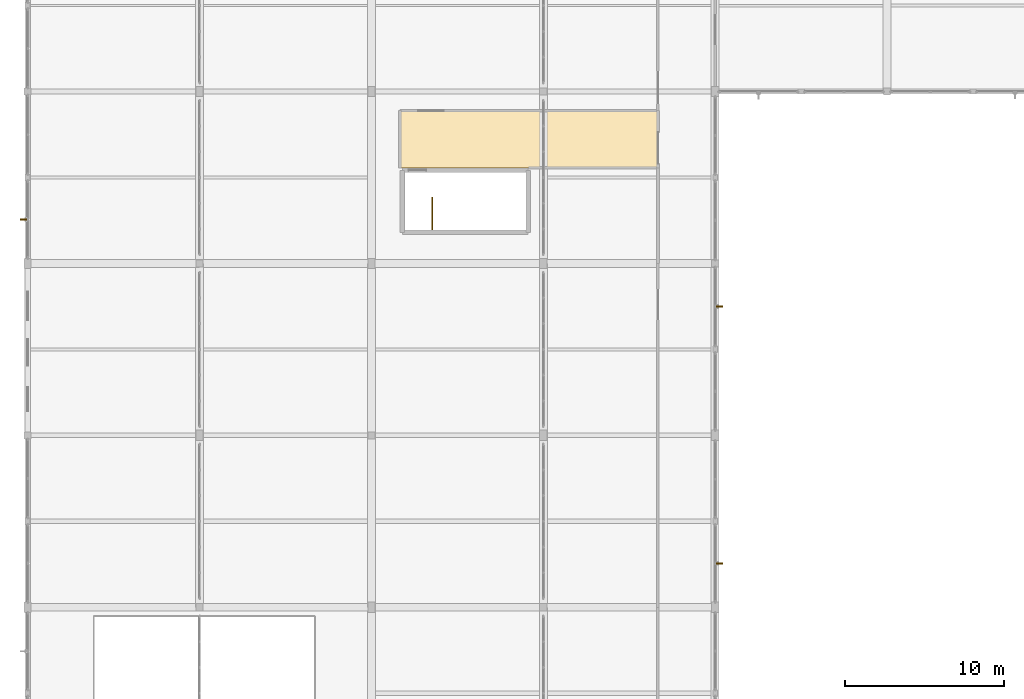
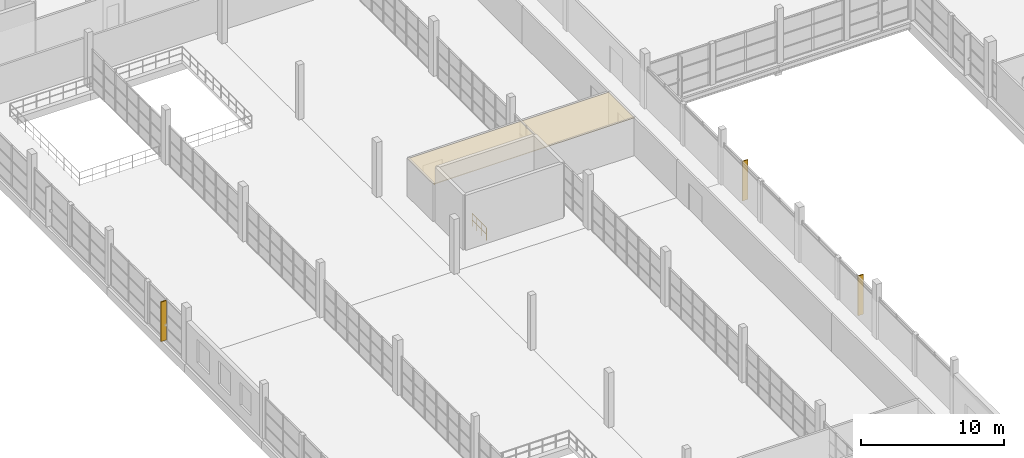
# One storey, part 129 of 142: 3 shading devices, 1 covering, 1 railing.
"""IFC4 building model written with IfcOpenShell, lengths in metres."""

from ifc_helpers import new_model, si_unit, direction, frame, origin, origin_2d, place, context, subcontext, project, spatial, polyline, rectangle, circle, outline, extrude, material, layer, layer_set, type_object, element, save


model = new_model("IFC4")

# Units and contexts
model_context = context("Model", 3, precision=1e-05, world=origin(), true_north=direction((0.0, 1.0)))
body_context = subcontext(model_context, "Body", "Model", "MODEL_VIEW")
ifc_project = project(units=[si_unit("LENGTHUNIT", "METRE"), si_unit("AREAUNIT", "SQUARE_METRE"), si_unit("VOLUMEUNIT", "CUBIC_METRE"), si_unit("PLANEANGLEUNIT", "RADIAN"), si_unit("MASSUNIT", "GRAM", prefix="KILO")], contexts=[model_context])

# Site, building, storey
site_placement = place(None, origin())
site = spatial("IfcSite", under=ifc_project, at=site_placement, CompositionType="ELEMENT")
building_placement = place(site_placement, origin())
building = spatial("IfcBuilding", under=site, at=building_placement, Name="Zwinboog Wholesale Market", CompositionType="ELEMENT")
storey_placement = place(building_placement, frame((0.0, 0.0, 5.39990234375)))
storey = spatial("IfcBuildingStorey", under=building, at=storey_placement, Name="L01", CompositionType="ELEMENT", Elevation=5.39990234375)

# Shading devices
ifc_material_1 = material(Name="Western red cedar timber", Category="wood")
shading_device_type = type_object("IfcShadingDeviceType", Name="SHD-FIN-CEDAR", PredefinedType="USERDEFINED", material=ifc_material_1)
for number, where, z_axis, x_axis, name in (
    (1, (-0.27001953125, 56.760009765625, 0.080078125), (0.0, 0.0, 1.0), (1.0, 0.0, 0.0), "FN-01 (SHD-FIN-018)"),
    (2, (43.469970703125, 35.159912109375, 0.080078125), (0.0, 0.0, 1.0), (1.0, 0.0, 0.0), "FN-01 (SHD-FIN-024)"),
    (3, (43.455078125, 51.2900390625, 0.080078125), (0.0, 0.0, 1.0), (1.0, 0.0, 0.0), "FN-01 (SHD-FIN-025)"),
):
    element("IfcShadingDevice", number, at=place(storey_placement, frame(where, z_axis=z_axis, x_axis=x_axis)), inside=storey, type_object=shading_device_type, Name=name, ObjectType="FIN", PredefinedType="USERDEFINED", context=body_context, shape_type="SweptSolid", body=[
        extrude(rectangle(XDim=0.419921875, YDim=0.0849609375, at=origin_2d()), origin(), (0.0, 0.0, 1.0), 3.3798828125),
    ])

# Railing
ifc_material_2 = material(Name="Steel S355", Category="steel")
railing_type = type_object("IfcRailingType", Name="RLT-INT-GUARD", PredefinedType="BALUSTRADE", material=ifc_material_2)
railing_placement = place(storey_placement, frame((25.419921875, 58.139892578125, 0.0)))
element("IfcRailing", 4, at=railing_placement, inside=storey, type_object=railing_type, Name="GR-02 (RLG-ST-16-GTOP)", PredefinedType="BALUSTRADE", context=body_context, shape_type="SweptSolid", body=[
    extrude(circle(Radius=0.02392578125, at=origin_2d()), frame((0.0, 0.0, 1.09619140625), z_axis=(0.0, -1.0, 0.0), x_axis=(1.0, 0.0, 0.0)), (0.0, 0.0, 1.0), 2.0),
    extrude(circle(Radius=0.02392578125, at=origin_2d()), frame((0.0, 0.0, 0.5361328125), z_axis=(0.0, -1.0, 0.0), x_axis=(1.0, 0.0, 0.0)), (0.0, 0.0, 1.0), 2.0),
    extrude(circle(Radius=0.02099609375, at=origin_2d()), origin(), (0.0, 0.0, 1.0), 1.072021484375),
    extrude(circle(Radius=0.02099609375, at=origin_2d()), frame((0.0, -0.666748046875, 0.0)), (0.0, 0.0, 1.0), 1.072021484375),
    extrude(circle(Radius=0.02099609375, at=origin_2d()), frame((0.0, -1.333251953125, 0.0)), (0.0, 0.0, 1.0), 1.072021484375),
    extrude(circle(Radius=0.02099609375, at=origin_2d()), frame((0.0, -2.0, 0.0)), (0.0, 0.0, 1.0), 1.072021484375),
])

# Covering
ifc_material_3 = material(Name="Hygienic washable acoustic gypsum ceiling")
ifc_layer = layer(ifc_material_3, 0.050048828125)
ifc_layer_set = layer_set([ifc_layer], Name="Hygienic washable acoustic gypsum ceiling")
covering_type = type_object("IfcCoveringType", Name="COV-CEIL-HYG", PredefinedType="CEILING", material=ifc_layer_set)
covering_placement = place(storey_placement, frame((0.0, 0.0, 3.130126953125)))
element("IfcCovering", 5, at=covering_placement, inside=storey, type_object=covering_type, Name="CL-02 (COV-CL-L01-020)", PredefinedType="CEILING", context=body_context, shape_type="SweptSolid", body=[
    extrude(outline(polyline([(23.39990234375, 60.0), (39.60009765625, 60.0), (39.60009765625, 63.60009765625), (23.39990234375, 63.60009765625), (23.39990234375, 60.0)])), origin(), (0.0, 0.0, 1.0), 0.050048828125),
])

save(model, "model.ifc")
